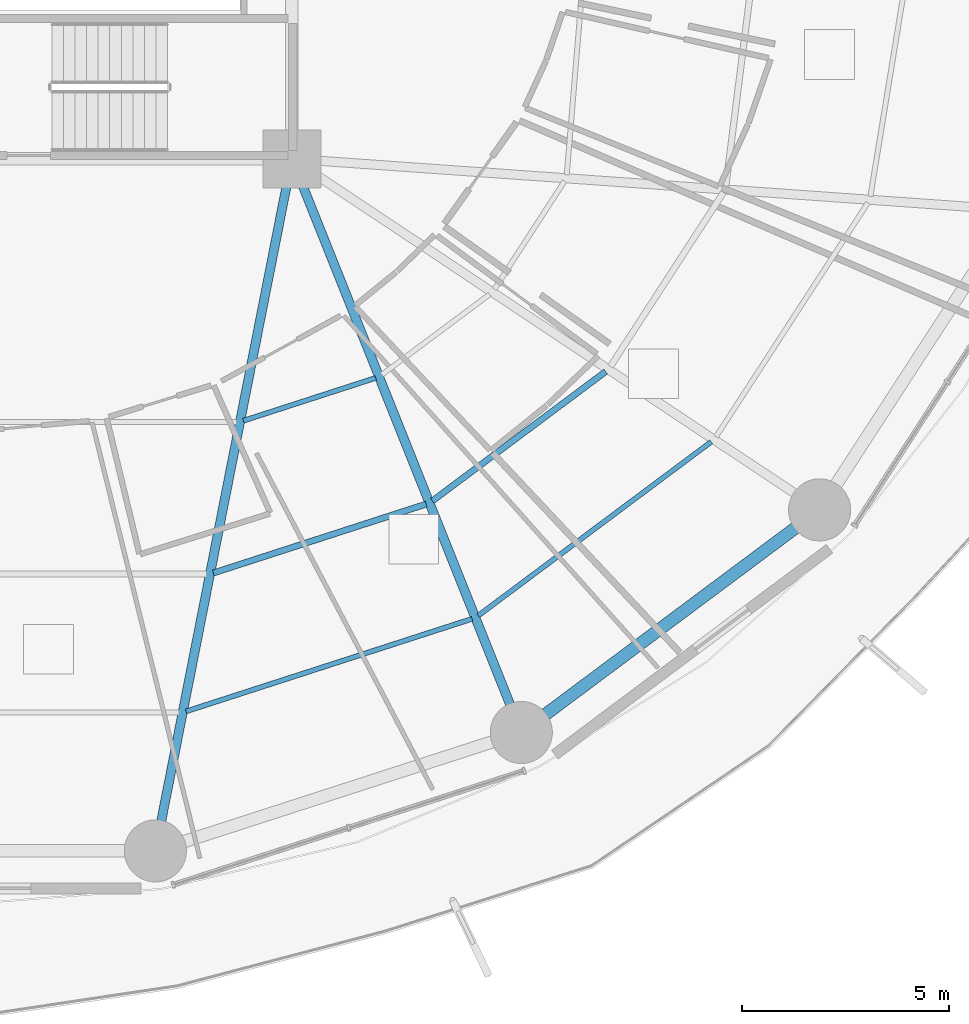
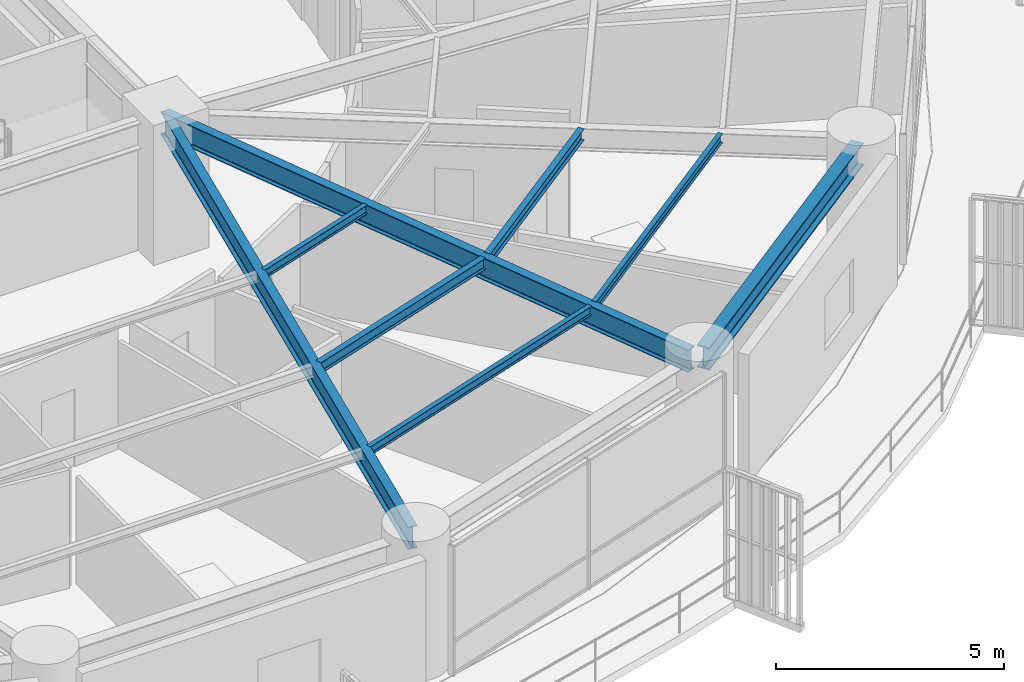
# One storey, part 9 of 34: 8 beams.
"""IFC4 building model written with IfcOpenShell, lengths in metres."""

import ifcopenshell
import ifcopenshell.guid

model = None  # the IFC model being written
_history = None  # IfcOwnerHistory: only IFC2X3 demands one
_inside = {}  # id of a spatial element -> (the spatial element, [elements in it])
_under = {}  # id of a project, library or spatial element -> (it, [spatial elements below it])
_declared = {}  # id of a project -> (the project, [libraries it declares])
_typed = {}  # id of a type object -> (the type object, [elements of that type])
_made_of = {}  # id of a material, layer set ... -> (it, [elements and type objects made of it])


def new_model(schema):
    """Start an empty IFC model of exactly this schema.

    Asked for "IFC4X3", IfcOpenShell would pick the latest addendum, in which some entities
    have other attributes; the version numbers below select the first issue.
    IFC2X3 requires an IfcOwnerHistory on every rooted entity: one is made here for all.
    """
    global model, _history
    if schema == "IFC4X3":
        model = ifcopenshell.file(schema_version=(4, 3, 0, 0))
    else:
        model = ifcopenshell.file(schema=schema)
    _inside.clear()
    _under.clear()
    _declared.clear()
    _typed.clear()
    _made_of.clear()
    _history = None
    if model.schema == "IFC2X3":
        org = make("IfcOrganization", Name="unknown")
        user = make(
            "IfcPersonAndOrganization",
            ThePerson=make("IfcPerson", FamilyName="unknown"),
            TheOrganization=org,
        )
        app = make(
            "IfcApplication",
            ApplicationDeveloper=org,
            Version="unknown",
            ApplicationFullName="unknown",
            ApplicationIdentifier="unknown",
        )
        _history = make(
            "IfcOwnerHistory",
            OwningUser=user,
            OwningApplication=app,
            ChangeAction="ADDED",
            CreationDate=0,
        )
    return model


def make(cls, **values):
    """One entity of the class cls with the attributes given. An attribute that is None is left unset."""
    return model.create_entity(
        cls, **{name: value for name, value in values.items() if value is not None}
    )


def rooted(cls, **values):
    """An entity with a GlobalId (a new one), such as an element, a storey or a relation."""
    return make(cls, GlobalId=ifcopenshell.guid.new(), OwnerHistory=_history, **values)


def si_unit(unit_type, name, prefix=None):
    """IfcSIUnit, for example si_unit("LENGTHUNIT", "METRE", prefix="MILLI")."""
    return make("IfcSIUnit", UnitType=unit_type, Prefix=prefix, Name=name)


def assignment(units):
    """IfcUnitAssignment: the units of a project."""
    return None if units is None else make("IfcUnitAssignment", Units=units)


def point(xyz):
    """IfcCartesianPoint."""
    return None if xyz is None else make("IfcCartesianPoint", Coordinates=xyz)


def direction(xyz):
    """IfcDirection."""
    return None if xyz is None else make("IfcDirection", DirectionRatios=xyz)


def frame(location, z_axis=None, x_axis=None):
    """IfcAxis2Placement3D, a coordinate frame: its origin and axes. An axis left out is left unset."""
    return make(
        "IfcAxis2Placement3D",
        Location=point(location),
        Axis=direction(z_axis),
        RefDirection=direction(x_axis),
    )


def frame_2d(location, x_axis=None):
    """IfcAxis2Placement2D, a coordinate frame in the plane: its origin and x axis."""
    return make(
        "IfcAxis2Placement2D", Location=point(location), RefDirection=direction(x_axis)
    )


def origin():
    """The frame at (0, 0, 0) with its axes left unset."""
    return frame((0.0, 0.0, 0.0))


def origin_2d():
    """The frame at (0, 0) in the plane with its x axis left unset."""
    return frame_2d((0.0, 0.0))


def place(relative_to, where):
    """IfcLocalPlacement: puts the frame where relative to a parent placement (None: the world)."""
    return make(
        "IfcLocalPlacement", PlacementRelTo=relative_to, RelativePlacement=where
    )


def context(
    kind, dimensions, precision=None, world=None, true_north=None, identifier=None
):
    """IfcGeometricRepresentationContext, for example the 3D "Model" context."""
    return make(
        "IfcGeometricRepresentationContext",
        ContextIdentifier=identifier,
        ContextType=kind,
        CoordinateSpaceDimension=dimensions,
        Precision=precision,
        WorldCoordinateSystem=world,
        TrueNorth=true_north,
    )


def subcontext(parent, identifier, kind, view, scale=None):
    """IfcGeometricRepresentationSubContext, for example "Body" below "Model"."""
    return make(
        "IfcGeometricRepresentationSubContext",
        ContextIdentifier=identifier,
        ContextType=kind,
        ParentContext=parent,
        TargetScale=scale,
        TargetView=view,
    )


def project(units=None, contexts=None):
    """IfcProject with its units and contexts."""
    return rooted(
        "IfcProject",
        Name="project",
        RepresentationContexts=contexts,
        UnitsInContext=assignment(units),
    )


def spatial(cls, under=None, at=None, **own):
    """A site, building, storey or space (cls), placed at a placement, below another one or the project."""
    s = rooted(cls, ObjectPlacement=at, **own)
    if under is not None:
        _under.setdefault(under.id(), (under, []))[1].append(s)
    return s


def profile(cls, at=None, kind="AREA", **sizes):
    """A parametric profile (cls). Its sizes go by their IFC names, for example OverallWidth=200.0."""
    return make(cls, ProfileType=kind, Position=at, **sizes)


def i_section(**sizes):
    """IfcIShapeProfileDef."""
    return profile("IfcIShapeProfileDef", **sizes)


def extrude(swept, where, along, depth):
    """IfcExtrudedAreaSolid: the profile swept, set in the frame where, extruded along a direction by depth."""
    return make(
        "IfcExtrudedAreaSolid",
        SweptArea=swept,
        Position=where,
        ExtrudedDirection=direction(along),
        Depth=depth,
    )


def shape(context_of_items, identifier, shape_type, items):
    """IfcShapeRepresentation: the items that make up one representation, for example the "Body"."""
    return make(
        "IfcShapeRepresentation",
        ContextOfItems=context_of_items,
        RepresentationIdentifier=identifier,
        RepresentationType=shape_type,
        Items=items,
    )


def material(Name=None, Category=None):
    """IfcMaterial."""
    return make("IfcMaterial", Name=Name, Category=Category)


def material_profile(
    of_material, cross_section, Name=None, Category=None, Priority=None
):
    """IfcMaterialProfile: a cross section and its material."""
    return make(
        "IfcMaterialProfile",
        Name=Name,
        Material=of_material,
        Profile=cross_section,
        Priority=Priority,
        Category=Category,
    )


def profile_set(profiles, Name=None, composite=None):
    """IfcMaterialProfileSet."""
    return make(
        "IfcMaterialProfileSet",
        Name=Name,
        MaterialProfiles=profiles,
        CompositeProfile=composite,
    )


def made_of(thing, what):
    """Note that an element or type object is made of a material, layer set ...; save() writes the relation."""
    if what is not None:
        _made_of.setdefault(what.id(), (what, []))[1].append(thing)
    return thing


def type_object(cls, material=None, **own):
    """A type object (cls), such as IfcWallType, which elements share."""
    return made_of(rooted(cls, **own), material)


def element(
    cls,
    number,
    at=None,
    inside=None,
    cuts=None,
    type_object=None,
    material=None,
    context=None,
    identifier="Body",
    shape_type=None,
    held_by="IfcProductDefinitionShape",
    body=None,
    shapes=None,
    **own,
):
    """One element of the class cls, such as IfcWall. Its Tag is "e" and its number.

    at: its placement. inside: the storey or other place that contains it. cuts: it is an
    opening in that element (IfcRelVoidsElement). A single representation is given by context,
    identifier, shape_type and body (its items); several are given by shapes. held_by: the class
    of the entity that holds the representations. save() writes the other relations.
    """
    e = rooted(cls, Tag="e%d" % number, ObjectPlacement=at, **own)
    if body is not None:
        shapes = [shape(context, identifier, shape_type, body)]
    if shapes is not None:
        e.Representation = make(held_by, Representations=shapes)
    if inside is not None:
        _inside.setdefault(inside.id(), (inside, []))[1].append(e)
    if cuts is not None:
        rooted(
            "IfcRelVoidsElement", RelatingBuildingElement=cuts, RelatedOpeningElement=e
        )
    if type_object is not None:
        _typed.setdefault(type_object.id(), (type_object, []))[1].append(e)
    return made_of(e, material)


def aggregate(whole, parts):
    """IfcRelAggregates: a whole, such as a stair, and the parts it consists of."""
    return rooted("IfcRelAggregates", RelatingObject=whole, RelatedObjects=parts)


def save(model, path):
    """Write the relations noted so far, then the file.

    IfcRelAggregates (storeys below a building ...), IfcRelContainedInSpatialStructure (elements
    in a storey), IfcRelDefinesByType, IfcRelAssociatesMaterial and IfcRelDeclares: one each for
    every whole, place, type object, material and project.
    """
    for whole, parts in _under.values():
        aggregate(whole, parts)
    for where, things in _inside.values():
        rooted(
            "IfcRelContainedInSpatialStructure",
            RelatedElements=things,
            RelatingStructure=where,
        )
    for kind, things in _typed.values():
        rooted("IfcRelDefinesByType", RelatedObjects=things, RelatingType=kind)
    for what, things in _made_of.values():
        rooted("IfcRelAssociatesMaterial", RelatedObjects=things, RelatingMaterial=what)
    for by, libraries in _declared.values():
        rooted("IfcRelDeclares", RelatingContext=by, RelatedDefinitions=libraries)
    model.write(path)


model = new_model("IFC4")

# Units and contexts
model_context = context("Model", 3, precision=1e-05, world=origin(), true_north=direction((0.0, 1.0)))
body_context = subcontext(model_context, "Body", "Model", "MODEL_VIEW")
ifc_project = project(units=[si_unit("LENGTHUNIT", "METRE"), si_unit("AREAUNIT", "SQUARE_METRE"), si_unit("VOLUMEUNIT", "CUBIC_METRE"), si_unit("PLANEANGLEUNIT", "RADIAN"), si_unit("MASSUNIT", "GRAM", prefix="KILO")], contexts=[model_context])

# Site, building, storey
site_placement = place(None, origin())
site = spatial("IfcSite", under=ifc_project, at=site_placement, CompositionType="ELEMENT")
building_placement = place(site_placement, origin())
building = spatial("IfcBuilding", under=site, at=building_placement, Name="Kelanora Arch Commons", CompositionType="ELEMENT")
storey_placement = place(building_placement, frame((0.0, 0.0, 30.0)))
storey = spatial("IfcBuildingStorey", under=building, at=storey_placement, Name="L07", CompositionType="ELEMENT", Elevation=30.0)

# Beams
ifc_material = material(Name="Steel S355", Category="steel")
ifc_material_profile_1 = material_profile(ifc_material, i_section(OverallWidth=0.14990234375, OverallDepth=0.300048828125, WebThickness=0.007080078125, FlangeThickness=0.0107421875, FilletRadius=0.014892578125, at=origin_2d()), Name="IPE300")
ifc_profile_set_1 = profile_set([ifc_material_profile_1], Name="Steel S355")
beam_type_1 = type_object("IfcBeamType", Name="BM-JST-01", PredefinedType="JOIST", material=ifc_profile_set_1)
beam_1_placement = place(storey_placement, frame((80.102294921875, 40.997802734375, 3.340087890625), z_axis=(0.951412209627, 0.307920131482, 0.0), x_axis=(-0.307920131482, 0.951412209627, 0.0)))
element("IfcBeam", 1, at=beam_1_placement, inside=storey, type_object=beam_type_1, Name="Secondary Chord Joist BJB-28 L07", PredefinedType="JOIST", context=body_context, shape_type="SweptSolid", body=[
    extrude(i_section(OverallWidth=0.14990234375, OverallDepth=0.300048828125, WebThickness=0.007080078125, FlangeThickness=0.0107421875, FilletRadius=0.014892578125, at=origin_2d()), origin(), (0.0, 0.0, 1.0), 5.4033203125),
])
beam_2_placement = place(storey_placement, frame((85.39208984375, 42.738525390625, 3.340087890625), z_axis=(0.801478251559, 0.598023922831, 0.0), x_axis=(-0.598023922831, 0.801478251559, 0.0)))
element("IfcBeam", 2, at=beam_2_placement, inside=storey, type_object=beam_type_1, Name="Secondary Chord Joist BJB-30 L07", PredefinedType="JOIST", context=body_context, shape_type="SweptSolid", body=[
    extrude(i_section(OverallWidth=0.14990234375, OverallDepth=0.300048828125, WebThickness=0.007080078125, FlangeThickness=0.0107421875, FilletRadius=0.014892578125, at=origin_2d()), origin(), (0.0, 0.0, 1.0), 5.223388671875),
])
ifc_material_profile_2 = material_profile(ifc_material, i_section(OverallWidth=0.1201171875, OverallDepth=0.239990234375, WebThickness=0.006103515625, FlangeThickness=0.009765625, FilletRadius=0.014892578125, at=origin_2d()), Name="IPE240")
ifc_profile_set_2 = profile_set([ifc_material_profile_2], Name="Steel S355")
beam_type_2 = type_object("IfcBeamType", Name="BM-JST-02", PredefinedType="JOIST", material=ifc_profile_set_2)
beam_3_placement = place(storey_placement, frame((80.827880859375, 44.6748046875, 3.3701171875), z_axis=(0.951422608074, 0.30788800049, 0.0), x_axis=(-0.30788800049, 0.951422608074, 0.0)))
element("IfcBeam", 3, at=beam_3_placement, inside=storey, type_object=beam_type_2, Name="Secondary Chord Joist BJA-28 L07", PredefinedType="JOIST", context=body_context, shape_type="SweptSolid", body=[
    extrude(i_section(OverallWidth=0.1201171875, OverallDepth=0.239990234375, WebThickness=0.006103515625, FlangeThickness=0.009765625, FilletRadius=0.014892578125, at=origin_2d()), origin(), (0.0, 0.0, 1.0), 3.359619140625),
])
beam_4_placement = place(storey_placement, frame((79.44287109375, 37.65478515625, 3.3701171875), z_axis=(0.951410915705, 0.307924129418, 0.0), x_axis=(-0.307924129418, 0.951410915705, 0.0)))
element("IfcBeam", 4, at=beam_4_placement, inside=storey, type_object=beam_type_2, Name="Secondary Chord Joist BJC-28 L07", PredefinedType="JOIST", context=body_context, shape_type="SweptSolid", body=[
    extrude(i_section(OverallWidth=0.1201171875, OverallDepth=0.239990234375, WebThickness=0.006103515625, FlangeThickness=0.009765625, FilletRadius=0.014892578125, at=origin_2d()), origin(), (0.0, 0.0, 1.0), 7.260986328125),
])
beam_5_placement = place(storey_placement, frame((86.5, 39.9677734375, 3.3701171875), z_axis=(0.80149131963, 0.598006408459, 0.0), x_axis=(-0.598006408459, 0.80149131963, 0.0)))
element("IfcBeam", 5, at=beam_5_placement, inside=storey, type_object=beam_type_2, Name="Secondary Chord Joist BJC-30 L07", PredefinedType="JOIST", context=body_context, shape_type="SweptSolid", body=[
    extrude(i_section(OverallWidth=0.1201171875, OverallDepth=0.239990234375, WebThickness=0.006103515625, FlangeThickness=0.009765625, FilletRadius=0.014892578125, at=origin_2d()), origin(), (0.0, 0.0, 1.0), 7.021240234375),
])
ifc_material_profile_3 = material_profile(ifc_material, i_section(OverallWidth=0.219970703125, OverallDepth=0.60009765625, WebThickness=0.011962890625, FlangeThickness=0.01904296875, FilletRadius=0.02392578125, at=origin_2d()), Name="IPE600")
ifc_profile_set_3 = profile_set([ifc_material_profile_3], Name="Steel S355")
beam_type_3 = type_object("IfcBeamType", Name="BM-RAD-Z1", PredefinedType="BEAM", material=ifc_profile_set_3)
beam_6_placement = place(storey_placement, frame((82.0, 51.0, 3.18994140625), z_axis=(-0.193555256292, -0.981089375522, 0.0), x_axis=(0.981089375522, -0.193555256292, 0.0)))
element("IfcBeam", 6, at=beam_6_placement, inside=storey, type_object=beam_type_3, Name="Radial Floor Girder BR-28 L07", PredefinedType="BEAM", context=body_context, shape_type="SweptSolid", body=[
    extrude(i_section(OverallWidth=0.219970703125, OverallDepth=0.60009765625, WebThickness=0.011962890625, FlangeThickness=0.01904296875, FilletRadius=0.02392578125, at=origin_2d()), origin(), (0.0, 0.0, 1.0), 16.81640625),
])
beam_7_placement = place(storey_placement, frame((82.0, 51.0, 3.18994140625), z_axis=(0.371296182896, -0.928514482691, 0.0), x_axis=(0.928514482691, 0.371296182896, 0.0)))
element("IfcBeam", 7, at=beam_7_placement, inside=storey, type_object=beam_type_3, Name="Radial Floor Girder BR-30 L07", PredefinedType="BEAM", context=body_context, shape_type="SweptSolid", body=[
    extrude(i_section(OverallWidth=0.219970703125, OverallDepth=0.60009765625, WebThickness=0.011962890625, FlangeThickness=0.01904296875, FilletRadius=0.02392578125, at=origin_2d()), origin(), (0.0, 0.0, 1.0), 14.700439453125),
])
ifc_material_profile_4 = material_profile(ifc_material, i_section(OverallWidth=0.300048828125, OverallDepth=0.60009765625, WebThickness=0.015380859375, FlangeThickness=0.030029296875, FilletRadius=0.027099609375, at=origin_2d()), Name="HEB600")
ifc_profile_set_4 = profile_set([ifc_material_profile_4], Name="Steel S355")
beam_type_4 = type_object("IfcBeamType", Name="BM-SPN-Z1", PredefinedType="SPANDREL", material=ifc_profile_set_4)
beam_8_placement = place(storey_placement, frame((87.71630859375, 37.277587890625, 3.18994140625), z_axis=(0.801474585329, 0.598028836322, 0.0), x_axis=(-0.598028836322, 0.801474585329, 0.0)))
element("IfcBeam", 8, at=beam_8_placement, inside=storey, type_object=beam_type_4, Name="Perimeter Spandrel Beam BS-30 L07", PredefinedType="SPANDREL", context=body_context, shape_type="SweptSolid", body=[
    extrude(i_section(OverallWidth=0.300048828125, OverallDepth=0.60009765625, WebThickness=0.015380859375, FlangeThickness=0.030029296875, FilletRadius=0.027099609375, at=origin_2d()), origin(), (0.0, 0.0, 1.0), 8.549072265625),
])

save(model, "model.ifc")
